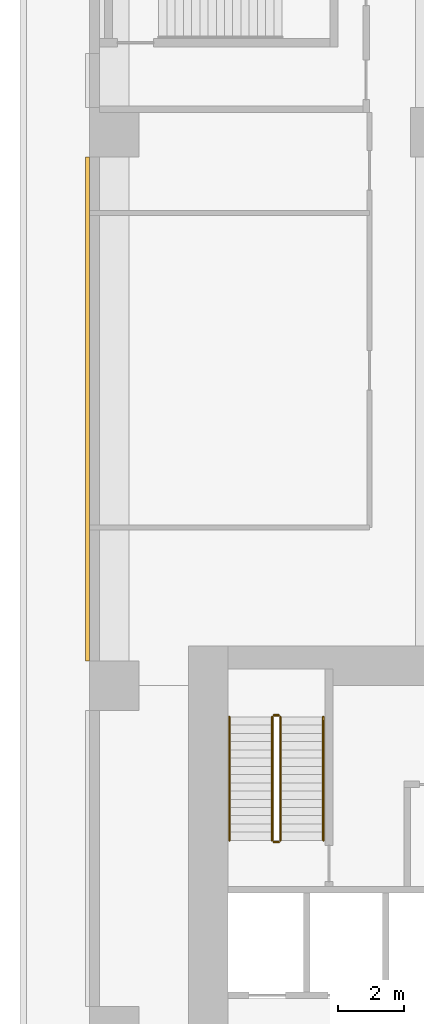
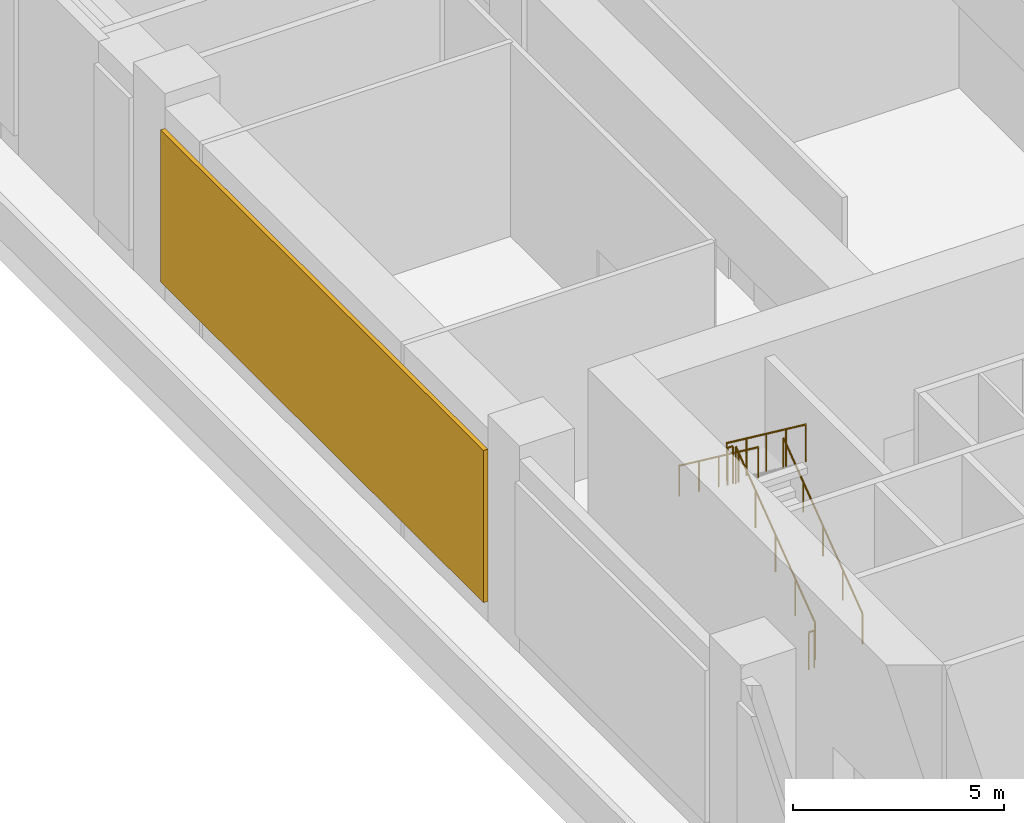
# One storey, part 7 of 11: 6 railings, 1 covering.
"""IFC4 building model written with IfcOpenShell, lengths in metres."""

from ifc_helpers import new_model, si_unit, direction, frame, origin, origin_2d, place, context, subcontext, project, spatial, rectangle, circle, extrude, source, transform, mapped, material, type_object, element, save


model = new_model("IFC4")

# Units and contexts
model_context = context("Model", 3, precision=1e-05, world=origin(), true_north=direction((0.0, 1.0)))
body_context = subcontext(model_context, "Body", "Model", "MODEL_VIEW")
ifc_project = project(units=[si_unit("LENGTHUNIT", "METRE"), si_unit("AREAUNIT", "SQUARE_METRE"), si_unit("VOLUMEUNIT", "CUBIC_METRE"), si_unit("PLANEANGLEUNIT", "RADIAN"), si_unit("MASSUNIT", "GRAM", prefix="KILO")], contexts=[model_context])

# Site, building, storey
site_placement = place(None, origin())
site = spatial("IfcSite", under=ifc_project, at=site_placement, CompositionType="ELEMENT")
building_placement = place(site_placement, origin())
building = spatial("IfcBuilding", under=site, at=building_placement, Name="Aurelian Terraces", CompositionType="ELEMENT")
storey_placement = place(building_placement, frame((0.0, 0.0, 34.5)))
storey = spatial("IfcBuildingStorey", under=building, at=storey_placement, Name="L06", CompositionType="ELEMENT", Elevation=34.5)

# Covering
ifc_material_1 = material(Name="Terracotta rainscreen cladding louvre blades", Category="masonry")
covering_type = type_object("IfcCoveringType", Name="LOUVRE-TC", PredefinedType="CLADDING", material=ifc_material_1)
covering_placement = place(storey_placement, frame((-0.06, 29.4, 0.6), z_axis=(0.0, 0.0, 1.0), x_axis=(1.0, 0.0, 0.0)))
element("IfcCovering", 1, at=covering_placement, inside=storey, type_object=covering_type, Name="LOUVRE L06 F14", PredefinedType="CLADDING", context=body_context, shape_type="SweptSolid", body=[
    extrude(rectangle(XDim=0.12, YDim=15.3, at=origin_2d()), origin(), (0.0, 0.0, 1.0), 4.4),
])

# Railings
ifc_material_2 = material(Name="Stainless steel", Category="steel")
railing_type_1 = type_object("IfcRailingType", Name="Stair guard 1100", PredefinedType="GUARDRAIL", material=ifc_material_2)
railing_1_placement = place(storey_placement, frame((5.8, 16.3, 0.1875)))
element("IfcRailing", 2, at=railing_1_placement, inside=storey, type_object=railing_type_1, Name="L06 S1 stair guard 1", PredefinedType="GUARDRAIL", context=body_context, shape_type="SweptSolid", body=[
    extrude(circle(Radius=0.024, at=origin_2d()), frame((0.0, 0.0, 1.076), z_axis=(0.0, 0.8, 0.6), x_axis=(-1.0, 0.0, 0.0)), (0.0, 0.0, 1.0), 4.6875),
    extrude(circle(Radius=0.021, at=origin_2d()), origin(), (0.0, 0.0, 1.0), 1.052),
    extrude(circle(Radius=0.021, at=origin_2d()), frame((0.0, 0.9375, 0.7031)), (0.0, 0.0, 1.0), 1.052),
    extrude(circle(Radius=0.021, at=origin_2d()), frame((0.0, 1.875, 1.4062)), (0.0, 0.0, 1.0), 1.052),
    extrude(circle(Radius=0.021, at=origin_2d()), frame((0.0, 2.8125, 2.1094)), (0.0, 0.0, 1.0), 1.052),
    extrude(circle(Radius=0.021, at=origin_2d()), frame((0.0, 3.75, 2.8125)), (0.0, 0.0, 1.0), 1.052),
])
railing_2_placement = place(storey_placement, frame((5.55, 20.05, 3.1875)))
element("IfcRailing", 3, at=railing_2_placement, inside=storey, type_object=railing_type_1, Name="L06 S1 stair guard 3", PredefinedType="GUARDRAIL", context=body_context, shape_type="SweptSolid", body=[
    extrude(circle(Radius=0.024, at=origin_2d()), frame((0.0, 0.0, 1.076), z_axis=(0.0, -0.8, 0.6), x_axis=(1.0, 0.0, 0.0)), (0.0, 0.0, 1.0), 4.6875),
    extrude(circle(Radius=0.021, at=origin_2d()), origin(), (0.0, 0.0, 1.0), 1.052),
    extrude(circle(Radius=0.021, at=origin_2d()), frame((0.0, -0.9375, 0.7031)), (0.0, 0.0, 1.0), 1.052),
    extrude(circle(Radius=0.021, at=origin_2d()), frame((0.0, -1.875, 1.4062)), (0.0, 0.0, 1.0), 1.052),
    extrude(circle(Radius=0.021, at=origin_2d()), frame((0.0, -2.8125, 2.1094)), (0.0, 0.0, 1.0), 1.052),
    extrude(circle(Radius=0.021, at=origin_2d()), frame((0.0, -3.75, 2.8125)), (0.0, 0.0, 1.0), 1.052),
])
railing_type_2 = type_object("IfcRailingType", Name="Stair handrail", PredefinedType="HANDRAIL", material=ifc_material_2)
railing_3_placement = place(storey_placement, frame((7.1, 16.3, 0.1875)))
element("IfcRailing", 4, at=railing_3_placement, inside=storey, type_object=railing_type_2, Name="L06 S1 stair handrail 1", PredefinedType="HANDRAIL", context=body_context, shape_type="SweptSolid", body=[
    extrude(circle(Radius=0.024, at=origin_2d()), frame((0.0, 0.0, 0.876), z_axis=(0.0, 0.8, 0.6), x_axis=(-1.0, 0.0, 0.0)), (0.0, 0.0, 1.0), 4.6875),
    extrude(circle(Radius=0.021, at=origin_2d()), origin(), (0.0, 0.0, 1.0), 0.852),
    extrude(circle(Radius=0.021, at=origin_2d()), frame((0.0, 0.9375, 0.7031)), (0.0, 0.0, 1.0), 0.852),
    extrude(circle(Radius=0.021, at=origin_2d()), frame((0.0, 1.875, 1.4062)), (0.0, 0.0, 1.0), 0.852),
    extrude(circle(Radius=0.021, at=origin_2d()), frame((0.0, 2.8125, 2.1094)), (0.0, 0.0, 1.0), 0.852),
    extrude(circle(Radius=0.021, at=origin_2d()), frame((0.0, 3.75, 2.8125)), (0.0, 0.0, 1.0), 0.852),
])
railing_4_placement = place(storey_placement, frame((4.25, 20.05, 3.1875)))
element("IfcRailing", 5, at=railing_4_placement, inside=storey, type_object=railing_type_2, Name="L06 S1 stair handrail 2", PredefinedType="HANDRAIL", context=body_context, shape_type="SweptSolid", body=[
    extrude(circle(Radius=0.024, at=origin_2d()), frame((0.0, 0.0, 0.876), z_axis=(0.0, -0.8, 0.6), x_axis=(1.0, 0.0, 0.0)), (0.0, 0.0, 1.0), 4.6875),
    extrude(circle(Radius=0.021, at=origin_2d()), origin(), (0.0, 0.0, 1.0), 0.852),
    extrude(circle(Radius=0.021, at=origin_2d()), frame((0.0, -0.9375, 0.7031)), (0.0, 0.0, 1.0), 0.852),
    extrude(circle(Radius=0.021, at=origin_2d()), frame((0.0, -1.875, 1.4062)), (0.0, 0.0, 1.0), 0.852),
    extrude(circle(Radius=0.021, at=origin_2d()), frame((0.0, -2.8125, 2.1094)), (0.0, 0.0, 1.0), 0.852),
    extrude(circle(Radius=0.021, at=origin_2d()), frame((0.0, -3.75, 2.8125)), (0.0, 0.0, 1.0), 0.852),
])
shared_shape = source(origin(), body_context, "Body", "SweptSolid", [
    extrude(circle(Radius=0.024, at=origin_2d()), frame((0.0, 0.0, 1.076), z_axis=(-1.0, 0.0, 0.0), x_axis=(0.0, -1.0, 0.0)), (0.0, 0.0, 1.0), 0.15),
    extrude(circle(Radius=0.021, at=origin_2d()), origin(), (0.0, 0.0, 1.0), 1.052),
    extrude(circle(Radius=0.021, at=origin_2d()), frame((-0.15, 0.0, 0.0)), (0.0, 0.0, 1.0), 1.052),
])
for number, where, name in (
    (6, (5.75, 20.1, 3.0), "L06 S1 stair guard 2"),
    (7, (5.75, 16.25, 0.0), "L06 S1 stair guard 4"),
):
    element("IfcRailing", number, at=place(storey_placement, frame(where)), inside=storey, type_object=railing_type_1, Name=name, PredefinedType="GUARDRAIL", context=body_context, shape_type="MappedRepresentation", body=[
        mapped(shared_shape, transform((0.0, 0.0, 0.0), scale=1.0)),
    ])

save(model, "model.ifc")
